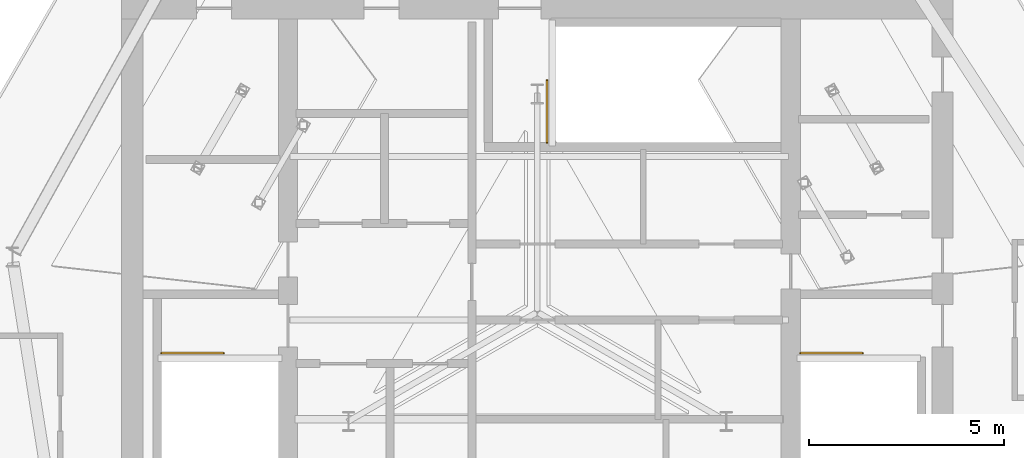
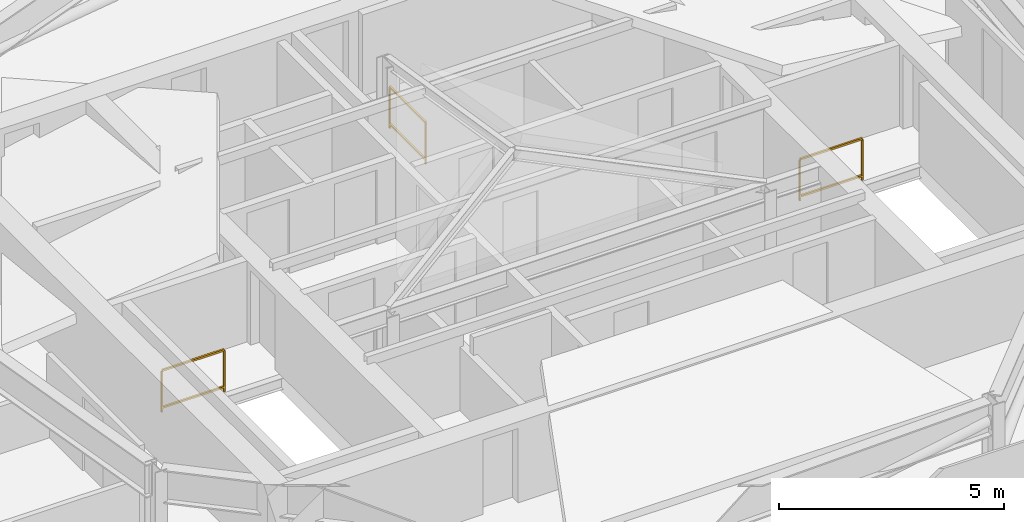
# One storey, part 9 of 9: 3 railings.
"""IFC4 building model written with IfcOpenShell, lengths in metres."""

from ifc_helpers import new_model, si_unit, direction, frame, origin, origin_2d, place, context, subcontext, project, spatial, rectangle, extrude, material, type_object, element, save


model = new_model("IFC4")

# Units and contexts
model_context = context("Model", 3, precision=1e-05, world=origin(), true_north=direction((0.0, 1.0)))
body_context = subcontext(model_context, "Body", "Model", "MODEL_VIEW")
ifc_project = project(units=[si_unit("LENGTHUNIT", "METRE"), si_unit("AREAUNIT", "SQUARE_METRE"), si_unit("VOLUMEUNIT", "CUBIC_METRE"), si_unit("PLANEANGLEUNIT", "RADIAN"), si_unit("MASSUNIT", "GRAM", prefix="KILO")], contexts=[model_context])

# Site, building, storey
site_placement = place(None, origin())
site = spatial("IfcSite", under=ifc_project, at=site_placement, CompositionType="ELEMENT")
building_placement = place(site_placement, origin())
building = spatial("IfcBuilding", under=site, at=building_placement, Name="Qarnah Convention Tower", CompositionType="ELEMENT")
storey_placement = place(building_placement, frame((0.0, 0.0, 292.89990234375)))
storey = spatial("IfcBuildingStorey", under=building, at=storey_placement, Name="L79", CompositionType="ELEMENT", Elevation=292.89990234375)

# Railings
ifc_material = material(Name="Structural steel S355JR", Category="steel")
railing_type = type_object("IfcRailingType", Name="RL-STAIR-GUARD-1150", PredefinedType="GUARDRAIL", material=ifc_material)
railing_1_placement = place(storey_placement, frame((27.550048828125, 25.35009765625, 0.0)))
element("IfcRailing", 1, at=railing_1_placement, inside=storey, type_object=railing_type, Name="L79 ST-1 top well guard 1", PredefinedType="GUARDRAIL", context=body_context, shape_type="SweptSolid", body=[
    extrude(rectangle(XDim=0.048095703125, YDim=0.048095703125, at=origin_2d()), frame((0.0, 0.0, 1.1259765625), z_axis=(1.0, 0.0, 0.0), x_axis=(0.0, 1.0, 0.0)), (0.0, 0.0, 1.0), 1.599853515625),
    extrude(rectangle(XDim=0.048095703125, YDim=0.048095703125, at=origin_2d()), frame((0.0, 0.0, 0.1201171875), z_axis=(1.0, 0.0, 0.0), x_axis=(0.0, 1.0, 0.0)), (0.0, 0.0, 1.0), 1.599853515625),
    extrude(rectangle(XDim=0.0419921875, YDim=0.0419921875, at=origin_2d()), origin(), (0.0, 0.0, 1.0), 1.101806640625),
    extrude(rectangle(XDim=0.0419921875, YDim=0.0419921875, at=origin_2d()), frame((1.599853515625, 0.0, 0.0)), (0.0, 0.0, 1.0), 1.101806640625),
])
railing_2_placement = place(storey_placement, frame((43.949951171875, 25.35009765625, 0.0)))
element("IfcRailing", 2, at=railing_2_placement, inside=storey, type_object=railing_type, Name="L79 ST-2 top well guard 1", PredefinedType="GUARDRAIL", context=body_context, shape_type="SweptSolid", body=[
    extrude(rectangle(XDim=0.048095703125, YDim=0.048095703125, at=origin_2d()), frame((0.0, 0.0, 1.1259765625), z_axis=(1.0, 0.0, 0.0), x_axis=(0.0, 1.0, 0.0)), (0.0, 0.0, 1.0), 1.60009765625),
    extrude(rectangle(XDim=0.048095703125, YDim=0.048095703125, at=origin_2d()), frame((0.0, 0.0, 0.1201171875), z_axis=(1.0, 0.0, 0.0), x_axis=(0.0, 1.0, 0.0)), (0.0, 0.0, 1.0), 1.60009765625),
    extrude(rectangle(XDim=0.0419921875, YDim=0.0419921875, at=origin_2d()), origin(), (0.0, 0.0, 1.0), 1.101806640625),
    extrude(rectangle(XDim=0.0419921875, YDim=0.0419921875, at=origin_2d()), frame((1.60009765625, 0.0, 0.0)), (0.0, 0.0, 1.0), 1.101806640625),
])
railing_3_placement = place(storey_placement, frame((37.449951171875, 30.75, 0.0)))
element("IfcRailing", 3, at=railing_3_placement, inside=storey, type_object=railing_type, Name="L79 ST-3 top well guard 1", PredefinedType="GUARDRAIL", context=body_context, shape_type="SweptSolid", body=[
    extrude(rectangle(XDim=0.048095703125, YDim=0.048095703125, at=origin_2d()), frame((0.0, 0.0, 1.1259765625), z_axis=(0.0, 1.0, 0.0), x_axis=(-1.0, 0.0, 0.0)), (0.0, 0.0, 1.0), 1.60009765625),
    extrude(rectangle(XDim=0.048095703125, YDim=0.048095703125, at=origin_2d()), frame((0.0, 0.0, 0.1201171875), z_axis=(0.0, 1.0, 0.0), x_axis=(-1.0, 0.0, 0.0)), (0.0, 0.0, 1.0), 1.60009765625),
    extrude(rectangle(XDim=0.0419921875, YDim=0.0419921875, at=origin_2d()), origin(), (0.0, 0.0, 1.0), 1.101806640625),
    extrude(rectangle(XDim=0.0419921875, YDim=0.0419921875, at=origin_2d()), frame((0.0, 1.60009765625, 0.0)), (0.0, 0.0, 1.0), 1.101806640625),
])

save(model, "model.ifc")
